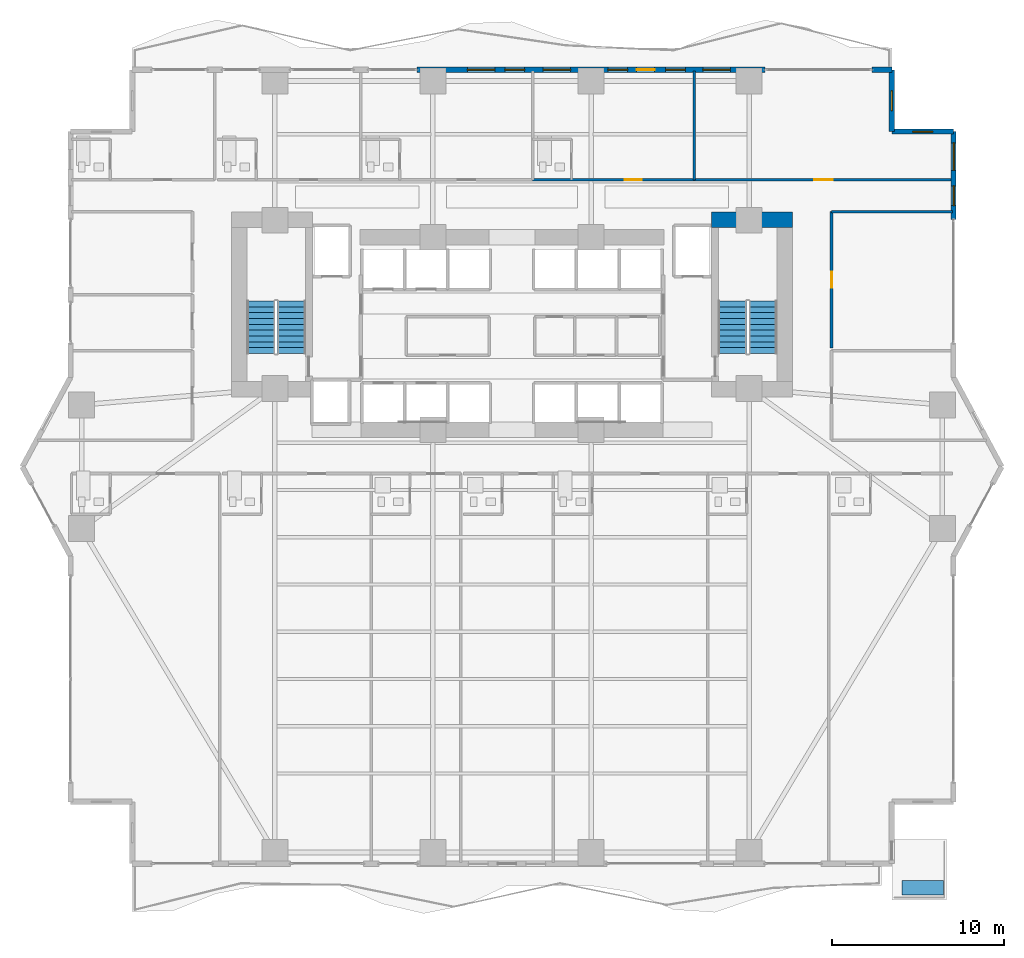
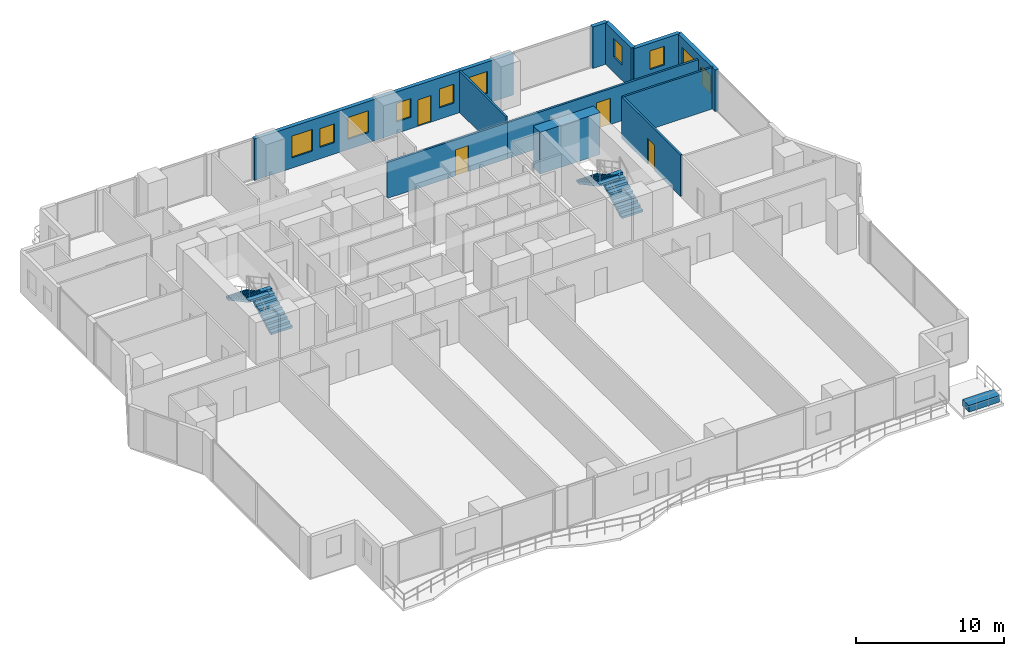
# One storey, part 22 of 29: 11 walls, 10 windows, 4 doors, 4 stair flights, 1 building element part, 14 openings, 2 elements without a shape of their own.
"""IFC4 building model written with IfcOpenShell, lengths in metres."""

from ifc_helpers import new_model, si_unit, direction, frame, frame_2d, origin, origin_2d, place, context, subcontext, project, spatial, polyline, rectangle, outline, extrude, material, layer, layer_set, type_object, element, fill, aggregate, save


model = new_model("IFC4")

# Units and contexts
model_context = context("Model", 3, precision=1e-05, world=origin(), true_north=direction((0.0, 1.0)))
body_context = subcontext(model_context, "Body", "Model", "MODEL_VIEW")
ifc_project = project(units=[si_unit("LENGTHUNIT", "METRE"), si_unit("AREAUNIT", "SQUARE_METRE"), si_unit("VOLUMEUNIT", "CUBIC_METRE"), si_unit("PLANEANGLEUNIT", "RADIAN"), si_unit("MASSUNIT", "GRAM", prefix="KILO")], contexts=[model_context])

# Site, building, storey
site_placement = place(None, origin())
site = spatial("IfcSite", under=ifc_project, at=site_placement, CompositionType="ELEMENT")
building_placement = place(site_placement, origin())
building = spatial("IfcBuilding", under=site, at=building_placement, Name="Zuhayl Quay Hotel", CompositionType="ELEMENT")
storey_placement = place(building_placement, frame((0.0, 0.0, 38.550048828125)))
storey = spatial("IfcBuildingStorey", under=building, at=storey_placement, Name="L08", CompositionType="ELEMENT", Elevation=38.550048828125)

# Wall
ifc_material_1 = material(Name="Concrete C70/85", Category="concrete")
ifc_layer_1 = layer(ifc_material_1, 0.89990234375, Name="Concrete C70/85", Category="concrete")
ifc_layer_set_1 = layer_set([ifc_layer_1], Name="Concrete C70/85")
wall_type_1 = type_object("IfcWallType", Name="WL_CORE_900", PredefinedType="SHEAR", material=ifc_layer_set_1)
wall_1_placement = place(storey_placement, frame((11.60009765625, 14.3798828125, 0.0), z_axis=(0.0, 0.0, 1.0), x_axis=(1.0, 0.0, 0.0)))
element("IfcWall", 1, at=wall_1_placement, inside=storey, type_object=wall_type_1, Name="L08 Core Shear Wall CW_NE", PredefinedType="SHEAR", context=body_context, shape_type="SweptSolid", body=[
    extrude(rectangle(XDim=4.7099609375, YDim=0.89990234375, at=frame_2d((2.35498046875, 0.0))), origin(), (0.0, 0.0, 1.0), 3.4599609375),
])

# Wall, openings, door, windows
ifc_material_2 = material(Name="Precast concrete C45/55", Category="concrete")
ifc_layer_2 = layer(ifc_material_2, 0.300048828125, Name="Precast concrete C45/55", Category="concrete")
ifc_layer_set_2 = layer_set([ifc_layer_2], Name="Precast concrete C45/55")
wall_type_2 = type_object("IfcWallType", Name="WL_EXT_300", PredefinedType="STANDARD", material=ifc_layer_set_2)
wall_2_placement = place(storey_placement, frame((-5.52001953125, 23.10009765625, 0.0), z_axis=(0.0, 0.0, 1.0), x_axis=(1.0, 0.0, 0.0)))
wall_2 = element("IfcWall", 2, at=wall_2_placement, inside=storey, type_object=wall_type_2, Name="L08 Exterior Precast Wall ENV_L08_N_EW5", PredefinedType="STANDARD", context=body_context, shape_type="SweptSolid", body=[
    extrude(rectangle(XDim=20.239990234375, YDim=0.300048828125, at=frame_2d((10.1201171875, 0.0))), origin(), (0.0, 0.0, 1.0), 3.429931640625),
])
opening_1_placement = place(wall_2_placement, frame((12.77490234375, 0.0, 0.0)))
opening_1 = element("IfcOpeningElement", 3, at=opening_1_placement, cuts=wall_2, Name="Opening DG1", PredefinedType="OPENING", context=body_context, shape_type="SweptSolid", body=[
    extrude(rectangle(XDim=1.050048828125, YDim=2.199951171875, at=frame_2d((0.52490234375, 1.10009765625))), frame((0.0, 0.159912109375, 0.0), z_axis=(0.0, -1.0, 0.0), x_axis=(1.0, 0.0, 0.0)), (0.0, 0.0, 1.0), 0.320068359375),
])
opening_2_placement = place(wall_2_placement, frame((2.919921875, 0.0, 0.85009765625)))
opening_2 = element("IfcOpeningElement", 4, at=opening_2_placement, cuts=wall_2, Name="Opening W01", PredefinedType="OPENING", context=body_context, shape_type="SweptSolid", body=[
    extrude(rectangle(XDim=1.60009765625, YDim=1.800048828125, at=frame_2d((0.800048828125, 0.89990234375))), frame((0.0, 0.159912109375, 0.0), z_axis=(0.0, -1.0, 0.0), x_axis=(1.0, 0.0, 0.0)), (0.0, 0.0, 1.0), 0.320068359375),
])
opening_3_placement = place(wall_2_placement, frame((5.110107421875, 0.0, 0.949951171875)))
opening_3 = element("IfcOpeningElement", 5, at=opening_3_placement, cuts=wall_2, Name="Opening W01N", PredefinedType="OPENING", context=body_context, shape_type="SweptSolid", body=[
    extrude(rectangle(XDim=1.14990234375, YDim=1.550048828125, at=frame_2d((0.574951171875, 0.77490234375))), frame((0.0, 0.159912109375, 0.0), z_axis=(0.0, -1.0, 0.0), x_axis=(1.0, 0.0, 0.0)), (0.0, 0.0, 1.0), 0.320068359375),
])
opening_4_placement = place(wall_2_placement, frame((7.330078125, 0.0, 0.85009765625)))
opening_4 = element("IfcOpeningElement", 6, at=opening_4_placement, cuts=wall_2, Name="Opening W01", PredefinedType="OPENING", context=body_context, shape_type="SweptSolid", body=[
    extrude(rectangle(XDim=1.60009765625, YDim=1.800048828125, at=frame_2d((0.800048828125, 0.89990234375))), frame((0.0, 0.159912109375, 0.0), z_axis=(0.0, -1.0, 0.0), x_axis=(1.0, 0.0, 0.0)), (0.0, 0.0, 1.0), 0.320068359375),
])
opening_5_placement = place(wall_2_placement, frame((11.097412109375, 0.0, 0.949951171875)))
opening_5 = element("IfcOpeningElement", 7, at=opening_5_placement, cuts=wall_2, Name="Opening W01N", PredefinedType="OPENING", context=body_context, shape_type="SweptSolid", body=[
    extrude(rectangle(XDim=1.14990234375, YDim=1.550048828125, at=frame_2d((0.574951171875, 0.77490234375))), frame((0.0, 0.159912109375, 0.0), z_axis=(0.0, -1.0, 0.0), x_axis=(1.0, 0.0, 0.0)), (0.0, 0.0, 1.0), 0.320068359375),
])
opening_6_placement = place(wall_2_placement, frame((14.46240234375, 0.0, 0.949951171875)))
opening_6 = element("IfcOpeningElement", 8, at=opening_6_placement, cuts=wall_2, Name="Opening W01N", PredefinedType="OPENING", context=body_context, shape_type="SweptSolid", body=[
    extrude(rectangle(XDim=1.14990234375, YDim=1.550048828125, at=frame_2d((0.574951171875, 0.77490234375))), frame((0.0, 0.159912109375, 0.0), z_axis=(0.0, -1.0, 0.0), x_axis=(1.0, 0.0, 0.0)), (0.0, 0.0, 1.0), 0.320068359375),
])
opening_7_placement = place(wall_2_placement, frame((16.6298828125, 0.0, 0.85009765625)))
opening_7 = element("IfcOpeningElement", 9, at=opening_7_placement, cuts=wall_2, Name="Opening W01", PredefinedType="OPENING", context=body_context, shape_type="SweptSolid", body=[
    extrude(rectangle(XDim=1.60009765625, YDim=1.800048828125, at=frame_2d((0.800048828125, 0.89990234375))), frame((0.0, 0.159912109375, 0.0), z_axis=(0.0, -1.0, 0.0), x_axis=(1.0, 0.0, 0.0)), (0.0, 0.0, 1.0), 0.320068359375),
])
ifc_material_3 = material(Name="Anodised Aluminium and Dark Solar Glass", Category="aluminium")
door_type_1 = type_object("IfcDoorType", Name="DR_EXT_TERR_1050", OperationType="NOTDEFINED", PredefinedType="DOOR", material=ifc_material_3)
door_1_placement = place(opening_1_placement, origin())
door_1 = element("IfcDoor", 10, at=door_1_placement, inside=storey, type_object=door_type_1, Name="L08 North Rippling Balcony Door", OperationType="SINGLE_SWING_LEFT", OverallHeight=2.199951171875, OverallWidth=1.050048828125, PredefinedType="DOOR", context=body_context, shape_type="SweptSolid", body=[
    extrude(rectangle(XDim=1.050048828125, YDim=2.199951171875, at=frame_2d((0.52490234375, 1.10009765625))), frame((0.0, 0.02490234375, 0.0), z_axis=(0.0, -1.0, 0.0), x_axis=(1.0, 0.0, 0.0)), (0.0, 0.0, 1.0), 0.050048828125),
])
fill(opening_1, door_1)
ifc_material_4 = material(Name="Dark Ceramic-Fritted Solar Glass", Category="glass")
window_type_1 = type_object("IfcWindowType", Name="WN_NOTCH_1350", PartitioningType="SINGLE_PANEL", PredefinedType="WINDOW", material=ifc_material_4)
window_1_placement = place(opening_3_placement, origin())
window_1 = element("IfcWindow", 11, at=window_1_placement, inside=storey, type_object=window_type_1, Name="L08 Operable Facade Window 5-1", OverallHeight=1.550048828125, OverallWidth=1.14990234375, PartitioningType="SINGLE_PANEL", PredefinedType="WINDOW", context=body_context, shape_type="SweptSolid", body=[
    extrude(rectangle(XDim=1.14990234375, YDim=1.550048828125, at=frame_2d((0.574951171875, 0.77490234375))), frame((0.0, 0.030029296875, 0.0), z_axis=(0.0, -1.0, 0.0), x_axis=(1.0, 0.0, 0.0)), (0.0, 0.0, 1.0), 0.06005859375),
])
fill(opening_3, window_1)
window_2_placement = place(opening_5_placement, origin())
window_2 = element("IfcWindow", 12, at=window_2_placement, inside=storey, type_object=window_type_1, Name="L08 Operable Facade Window 5-3", OverallHeight=1.550048828125, OverallWidth=1.14990234375, PartitioningType="SINGLE_PANEL", PredefinedType="WINDOW", context=body_context, shape_type="SweptSolid", body=[
    extrude(rectangle(XDim=1.14990234375, YDim=1.550048828125, at=frame_2d((0.574951171875, 0.77490234375))), frame((0.0, 0.030029296875, 0.0), z_axis=(0.0, -1.0, 0.0), x_axis=(1.0, 0.0, 0.0)), (0.0, 0.0, 1.0), 0.06005859375),
])
fill(opening_5, window_2)
window_3_placement = place(opening_6_placement, origin())
window_3 = element("IfcWindow", 13, at=window_3_placement, inside=storey, type_object=window_type_1, Name="L08 Operable Facade Window 5-4", OverallHeight=1.550048828125, OverallWidth=1.14990234375, PartitioningType="SINGLE_PANEL", PredefinedType="WINDOW", context=body_context, shape_type="SweptSolid", body=[
    extrude(rectangle(XDim=1.14990234375, YDim=1.550048828125, at=frame_2d((0.574951171875, 0.77490234375))), frame((0.0, 0.030029296875, 0.0), z_axis=(0.0, -1.0, 0.0), x_axis=(1.0, 0.0, 0.0)), (0.0, 0.0, 1.0), 0.06005859375),
])
fill(opening_6, window_3)
window_type_2 = type_object("IfcWindowType", Name="WN_OPERABLE_1600", PartitioningType="DOUBLE_PANEL_VERTICAL", PredefinedType="WINDOW", material=ifc_material_4)
window_4_placement = place(opening_2_placement, origin())
window_4 = element("IfcWindow", 14, at=window_4_placement, inside=storey, type_object=window_type_2, Name="L08 North Operable Casement Window", OverallHeight=1.800048828125, OverallWidth=1.60009765625, PartitioningType="SINGLE_PANEL", PredefinedType="WINDOW", context=body_context, shape_type="SweptSolid", body=[
    extrude(rectangle(XDim=1.60009765625, YDim=1.800048828125, at=frame_2d((0.800048828125, 0.89990234375))), frame((0.0, 0.030029296875, 0.0), z_axis=(0.0, -1.0, 0.0), x_axis=(1.0, 0.0, 0.0)), (0.0, 0.0, 1.0), 0.06005859375),
])
fill(opening_2, window_4)
window_5_placement = place(opening_4_placement, origin())
window_5 = element("IfcWindow", 15, at=window_5_placement, inside=storey, type_object=window_type_2, Name="L08 Operable Facade Window 5-2", OverallHeight=1.800048828125, OverallWidth=1.60009765625, PartitioningType="SINGLE_PANEL", PredefinedType="WINDOW", context=body_context, shape_type="SweptSolid", body=[
    extrude(rectangle(XDim=1.60009765625, YDim=1.800048828125, at=frame_2d((0.800048828125, 0.89990234375))), frame((0.0, 0.030029296875, 0.0), z_axis=(0.0, -1.0, 0.0), x_axis=(1.0, 0.0, 0.0)), (0.0, 0.0, 1.0), 0.06005859375),
])
fill(opening_4, window_5)
window_6_placement = place(opening_7_placement, origin())
window_6 = element("IfcWindow", 16, at=window_6_placement, inside=storey, type_object=window_type_2, Name="L08 Operable Facade Window 5-5", OverallHeight=1.800048828125, OverallWidth=1.60009765625, PartitioningType="SINGLE_PANEL", PredefinedType="WINDOW", context=body_context, shape_type="SweptSolid", body=[
    extrude(rectangle(XDim=1.60009765625, YDim=1.800048828125, at=frame_2d((0.800048828125, 0.89990234375))), frame((0.0, 0.030029296875, 0.0), z_axis=(0.0, -1.0, 0.0), x_axis=(1.0, 0.0, 0.0)), (0.0, 0.0, 1.0), 0.06005859375),
])
fill(opening_7, window_6)

# Wall
wall_3_placement = place(storey_placement, frame((20.949951171875, 23.10009765625, 0.0), z_axis=(0.0, 0.0, 1.0), x_axis=(1.0, 0.0, 0.0)))
element("IfcWall", 17, at=wall_3_placement, inside=storey, type_object=wall_type_2, Name="L08 Exterior Precast Wall ENV_L08_N_EW6", PredefinedType="STANDARD", context=body_context, shape_type="SweptSolid", body=[
    extrude(rectangle(XDim=1.150146484375, YDim=0.300048828125, at=frame_2d((0.5751953125, 0.0))), origin(), (0.0, 0.0, 1.0), 3.429931640625),
])

# Wall, opening, window
wall_4_placement = place(storey_placement, frame((22.10009765625, 23.10009765625, 0.0), z_axis=(0.0, 0.0, 1.0), x_axis=(0.0, -1.0, 0.0)))
wall_4 = element("IfcWall", 18, at=wall_4_placement, inside=storey, type_object=wall_type_2, Name="L08 Exterior Precast Wall ENV_L08_EW09", PredefinedType="STANDARD", context=body_context, shape_type="SweptSolid", body=[
    extrude(rectangle(XDim=3.60009765625, YDim=0.300048828125, at=frame_2d((1.800048828125, 0.0))), origin(), (0.0, 0.0, 1.0), 3.429931640625),
])
opening_8_placement = place(wall_4_placement, frame((1.22509765625, 0.0, 1.25)))
opening_8 = element("IfcOpeningElement", 19, at=opening_8_placement, cuts=wall_4, Name="Opening W01N", PredefinedType="OPENING", context=body_context, shape_type="SweptSolid", body=[
    extrude(rectangle(XDim=1.14990234375, YDim=1.550048828125, at=frame_2d((0.574951171875, 0.77490234375))), frame((0.0, 0.159912109375, 0.0), z_axis=(0.0, -1.0, 0.0), x_axis=(1.0, 0.0, 0.0)), (0.0, 0.0, 1.0), 0.320068359375),
])
window_7_placement = place(opening_8_placement, origin())
window_7 = element("IfcWindow", 20, at=window_7_placement, inside=storey, type_object=window_type_1, Name="L08 Corner Notch Window 9", OverallHeight=1.550048828125, OverallWidth=1.14990234375, PartitioningType="SINGLE_PANEL", PredefinedType="WINDOW", context=body_context, shape_type="SweptSolid", body=[
    extrude(rectangle(XDim=1.14990234375, YDim=1.550048828125, at=frame_2d((0.574951171875, 0.77490234375))), frame((0.0, 0.030029296875, 0.0), z_axis=(0.0, -1.0, 0.0), x_axis=(1.0, 0.0, 0.0)), (0.0, 0.0, 1.0), 0.06005859375),
])
fill(opening_8, window_7)

wall_5_placement = place(storey_placement, frame((22.10009765625, 19.5, 0.0), z_axis=(0.0, 0.0, 1.0), x_axis=(1.0, 0.0, 0.0)))
wall_5 = element("IfcWall", 21, at=wall_5_placement, inside=storey, type_object=wall_type_2, Name="L08 Exterior Precast Wall ENV_L08_EW10", PredefinedType="STANDARD", context=body_context, shape_type="SweptSolid", body=[
    extrude(rectangle(XDim=3.599853515625, YDim=0.300048828125, at=frame_2d((1.7998046875, 0.0))), origin(), (0.0, 0.0, 1.0), 3.429931640625),
])
opening_9_placement = place(wall_5_placement, frame((1.22509765625, 0.0, 1.25)))
opening_9 = element("IfcOpeningElement", 22, at=opening_9_placement, cuts=wall_5, Name="Opening W01N", PredefinedType="OPENING", context=body_context, shape_type="SweptSolid", body=[
    extrude(rectangle(XDim=1.14990234375, YDim=1.550048828125, at=frame_2d((0.574951171875, 0.77490234375))), frame((0.0, 0.159912109375, 0.0), z_axis=(0.0, -1.0, 0.0), x_axis=(1.0, 0.0, 0.0)), (0.0, 0.0, 1.0), 0.320068359375),
])
window_8_placement = place(opening_9_placement, origin())
window_8 = element("IfcWindow", 23, at=window_8_placement, inside=storey, type_object=window_type_1, Name="L08 Corner Notch Window 10", OverallHeight=1.550048828125, OverallWidth=1.14990234375, PartitioningType="SINGLE_PANEL", PredefinedType="WINDOW", context=body_context, shape_type="SweptSolid", body=[
    extrude(rectangle(XDim=1.14990234375, YDim=1.550048828125, at=frame_2d((0.574951171875, 0.77490234375))), frame((0.0, 0.030029296875, 0.0), z_axis=(0.0, -1.0, 0.0), x_axis=(1.0, 0.0, 0.0)), (0.0, 0.0, 1.0), 0.06005859375),
])
fill(opening_9, window_8)

# Wall, openings, windows
wall_6_placement = place(storey_placement, frame((25.699951171875, 19.5, 0.0), z_axis=(0.0, 0.0, 1.0), x_axis=(0.0, -1.0, 0.0)))
wall_6 = element("IfcWall", 24, at=wall_6_placement, inside=storey, type_object=wall_type_2, Name="L08 Exterior Precast Wall ENV_L08_E11_EW1", PredefinedType="STANDARD", context=body_context, shape_type="SweptSolid", body=[
    extrude(rectangle(XDim=5.10009765625, YDim=0.300048828125, at=frame_2d((2.550048828125, 0.0))), origin(), (0.0, 0.0, 1.0), 3.429931640625),
])
opening_10_placement = place(wall_6_placement, frame((0.659912109375, 0.0, 0.85009765625)))
opening_10 = element("IfcOpeningElement", 25, at=opening_10_placement, cuts=wall_6, Name="Opening W01", PredefinedType="OPENING", context=body_context, shape_type="SweptSolid", body=[
    extrude(rectangle(XDim=1.60009765625, YDim=1.800048828125, at=frame_2d((0.800048828125, 0.89990234375))), frame((0.0, 0.159912109375, 0.0), z_axis=(0.0, -1.0, 0.0), x_axis=(1.0, 0.0, 0.0)), (0.0, 0.0, 1.0), 0.320068359375),
])
opening_11_placement = place(wall_6_placement, frame((3.14990234375, 0.0, 0.949951171875)))
opening_11 = element("IfcOpeningElement", 26, at=opening_11_placement, cuts=wall_6, Name="Opening W01N", PredefinedType="OPENING", context=body_context, shape_type="SweptSolid", body=[
    extrude(rectangle(XDim=1.14990234375, YDim=1.550048828125, at=frame_2d((0.574951171875, 0.77490234375))), frame((0.0, 0.159912109375, 0.0), z_axis=(0.0, -1.0, 0.0), x_axis=(1.0, 0.0, 0.0)), (0.0, 0.0, 1.0), 0.320068359375),
])
window_9_placement = place(opening_11_placement, origin())
window_9 = element("IfcWindow", 27, at=window_9_placement, inside=storey, type_object=window_type_1, Name="L08 Operable Facade Window 1-2", OverallHeight=1.550048828125, OverallWidth=1.14990234375, PartitioningType="SINGLE_PANEL", PredefinedType="WINDOW", context=body_context, shape_type="SweptSolid", body=[
    extrude(rectangle(XDim=1.14990234375, YDim=1.550048828125, at=frame_2d((0.574951171875, 0.77490234375))), frame((0.0, 0.030029296875, 0.0), z_axis=(0.0, -1.0, 0.0), x_axis=(1.0, 0.0, 0.0)), (0.0, 0.0, 1.0), 0.06005859375),
])
fill(opening_11, window_9)
window_10_placement = place(opening_10_placement, origin())
window_10 = element("IfcWindow", 28, at=window_10_placement, inside=storey, type_object=window_type_2, Name="L08 Operable Facade Window 1-1", OverallHeight=1.800048828125, OverallWidth=1.60009765625, PartitioningType="SINGLE_PANEL", PredefinedType="WINDOW", context=body_context, shape_type="SweptSolid", body=[
    extrude(rectangle(XDim=1.60009765625, YDim=1.800048828125, at=frame_2d((0.800048828125, 0.89990234375))), frame((0.0, 0.030029296875, 0.0), z_axis=(0.0, -1.0, 0.0), x_axis=(1.0, 0.0, 0.0)), (0.0, 0.0, 1.0), 0.06005859375),
])
fill(opening_10, window_10)

# Walls
ifc_material_5 = material(Name="Acoustic Gypsum Partition STC-58")
ifc_layer_3 = layer(ifc_material_5, 0.14990234375, Name="Acoustic Gypsum Partition STC-58")
ifc_layer_set_3 = layer_set([ifc_layer_3], Name="Acoustic Gypsum Partition STC-58")
wall_type_3 = type_object("IfcWallType", Name="WL_PART_150", PredefinedType="PARTITIONING", material=ifc_layer_set_3)
wall_7_placement = place(storey_placement, frame((10.60009765625, 16.699951171875, 0.0), z_axis=(0.0, 0.0, 1.0), x_axis=(0.0, 1.0, 0.0)))
element("IfcWall", 29, at=wall_7_placement, inside=storey, type_object=wall_type_3, Name="L08 Partition IW_L08_NU03_E", PredefinedType="PARTITIONING", context=body_context, shape_type="SweptSolid", body=[
    extrude(rectangle(XDim=6.320068359375, YDim=0.14990234375, at=frame_2d((3.16015625, 0.0))), origin(), (0.0, 0.0, 1.0), 3.429931640625),
])
wall_8_placement = place(storey_placement, frame((18.60009765625, 14.85009765625, 0.0), z_axis=(0.0, 0.0, 1.0), x_axis=(1.0, 0.0, 0.0)))
element("IfcWall", 30, at=wall_8_placement, inside=storey, type_object=wall_type_3, Name="L08 Partition IW_L08_EFLK_2_N", PredefinedType="PARTITIONING", context=body_context, shape_type="SweptSolid", body=[
    extrude(rectangle(XDim=7.039794921875, YDim=0.14990234375, at=frame_2d((3.52001953125, 0.0))), origin(), (0.0, 0.0, 1.0), 3.429931640625),
])

# Wall, opening, door
ifc_layer_4 = layer(ifc_material_5, 0.159912109375, Name="Acoustic Gypsum Partition STC-58")
ifc_layer_set_4 = layer_set([ifc_layer_4], Name="Acoustic Gypsum Partition STC-58")
wall_type_4 = type_object("IfcWallType", Name="WL_PART_CORR_160", PredefinedType="PARTITIONING", material=ifc_layer_set_4)
wall_9_placement = place(storey_placement, frame((1.199951171875, 16.699951171875, 0.0), z_axis=(0.0, 0.0, 1.0), x_axis=(1.0, 0.0, 0.0)))
wall_9 = element("IfcWall", 31, at=wall_9_placement, inside=storey, type_object=wall_type_4, Name="L08 Partition IW_L08_NU03_COR", PredefinedType="PARTITIONING", context=body_context, shape_type="SweptSolid", body=[
    extrude(rectangle(XDim=9.400146484375, YDim=0.159912109375, at=frame_2d((4.7001953125, 0.0))), origin(), (0.0, 0.0, 1.0), 2.972900390625),
])
opening_12_placement = place(wall_9_placement, frame((5.35009765625, 0.0, 0.0)))
opening_12 = element("IfcOpeningElement", 32, at=opening_12_placement, cuts=wall_9, Name="Opening D03L", PredefinedType="OPENING", context=body_context, shape_type="SweptSolid", body=[
    extrude(rectangle(XDim=1.0, YDim=2.14990234375, at=frame_2d((0.5, 1.074951171875))), frame((0.0, 0.08984375, 0.0), z_axis=(0.0, -1.0, 0.0), x_axis=(1.0, 0.0, 0.0)), (0.0, 0.0, 1.0), 0.179931640625),
])
ifc_material_6 = material(Name="Solid Walnut Acoustic Fire Door")
door_type_2 = type_object("IfcDoorType", Name="DR_SUITE_1000", OperationType="NOTDEFINED", PredefinedType="DOOR", material=ifc_material_6)
door_2_placement = place(opening_12_placement, origin())
door_2 = element("IfcDoor", 33, at=door_2_placement, inside=storey, type_object=door_type_2, Name="L08 Deluxe Gulf Guest Room L08-03 Entrance Door", OperationType="SINGLE_SWING_LEFT", OverallHeight=2.14990234375, OverallWidth=1.0, PredefinedType="DOOR", context=body_context, shape_type="SweptSolid", body=[
    extrude(rectangle(XDim=1.0, YDim=2.14990234375, at=frame_2d((0.5, 1.074951171875))), frame((0.0, 0.02490234375, 0.0), z_axis=(0.0, -1.0, 0.0), x_axis=(1.0, 0.0, 0.0)), (0.0, 0.0, 1.0), 0.050048828125),
])
fill(opening_12, door_2)

wall_10_placement = place(storey_placement, frame((10.60009765625, 16.699951171875, 0.0), z_axis=(0.0, 0.0, 1.0), x_axis=(1.0, 0.0, 0.0)))
wall_10 = element("IfcWall", 34, at=wall_10_placement, inside=storey, type_object=wall_type_4, Name="L08 Partition IW_L08_NSAL_3_S", PredefinedType="PARTITIONING", context=body_context, shape_type="SweptSolid", body=[
    extrude(rectangle(XDim=15.039794921875, YDim=0.159912109375, at=frame_2d((7.52001953125, 0.0))), origin(), (0.0, 0.0, 1.0), 2.972900390625),
])
opening_13_placement = place(wall_10_placement, frame((6.97998046875, 0.0, 0.0)))
opening_13 = element("IfcOpeningElement", 35, at=opening_13_placement, cuts=wall_10, Name="Opening D05A", PredefinedType="OPENING", context=body_context, shape_type="SweptSolid", body=[
    extrude(rectangle(XDim=1.080078125, YDim=2.179931640625, at=frame_2d((0.5400390625, 1.08984375))), frame((0.0, 0.08984375, 0.0), z_axis=(0.0, -1.0, 0.0), x_axis=(1.0, 0.0, 0.0)), (0.0, 0.0, 1.0), 0.179931640625),
])
door_type_3 = type_object("IfcDoorType", Name="DR_INT_1100", OperationType="NOTDEFINED", PredefinedType="DOOR", material=ifc_material_6)
door_3_placement = place(opening_13_placement, origin())
door_3 = element("IfcDoor", 36, at=door_3_placement, inside=storey, type_object=door_type_3, Name="L08 Quay Boardroom Door", OperationType="SINGLE_SWING_RIGHT", OverallHeight=2.179931640625, OverallWidth=1.080078125, PredefinedType="DOOR", context=body_context, shape_type="SweptSolid", body=[
    extrude(rectangle(XDim=1.080078125, YDim=2.179931640625, at=frame_2d((0.5400390625, 1.08984375))), frame((0.0, 0.02490234375, 0.0), z_axis=(0.0, -1.0, 0.0), x_axis=(1.0, 0.0, 0.0)), (0.0, 0.0, 1.0), 0.050048828125),
])
fill(opening_13, door_3)

wall_11_placement = place(storey_placement, frame((18.60009765625, 6.909912109375, 0.0), z_axis=(0.0, 0.0, 1.0), x_axis=(0.0, 1.0, 0.0)))
wall_11 = element("IfcWall", 37, at=wall_11_placement, inside=storey, type_object=wall_type_4, Name="L08 Partition IW_L08_EFLK_2_W", PredefinedType="PARTITIONING", context=body_context, shape_type="SweptSolid", body=[
    extrude(rectangle(XDim=7.940185546875, YDim=0.159912109375, at=frame_2d((3.97021484375, 0.0))), origin(), (0.0, 0.0, 1.0), 3.429931640625),
])
opening_14_placement = place(wall_11_placement, frame((3.510009765625, 0.0, 0.0)))
opening_14 = element("IfcOpeningElement", 38, at=opening_14_placement, cuts=wall_11, Name="Opening D05", PredefinedType="OPENING", context=body_context, shape_type="SweptSolid", body=[
    extrude(rectangle(XDim=0.919921875, YDim=2.1201171875, at=frame_2d((0.4599609375, 1.06005859375))), frame((0.0, 0.08984375, 0.0), z_axis=(0.0, -1.0, 0.0), x_axis=(1.0, 0.0, 0.0)), (0.0, 0.0, 1.0), 0.179931640625),
])
door_type_4 = type_object("IfcDoorType", Name="DR_INT_950", OperationType="NOTDEFINED", PredefinedType="DOOR", material=ifc_material_6)
door_4_placement = place(opening_14_placement, origin())
door_4 = element("IfcDoor", 39, at=door_4_placement, inside=storey, type_object=door_type_4, Name="L08 East Prow Reading Lounge L08 Door", OperationType="SINGLE_SWING_RIGHT", OverallHeight=2.1201171875, OverallWidth=0.919921875, PredefinedType="DOOR", context=body_context, shape_type="SweptSolid", body=[
    extrude(rectangle(XDim=0.919921875, YDim=2.1201171875, at=frame_2d((0.4599609375, 1.06005859375))), frame((0.0, 0.02490234375, 0.0), z_axis=(0.0, -1.0, 0.0), x_axis=(1.0, 0.0, 0.0)), (0.0, 0.0, 1.0), 0.050048828125),
])
fill(opening_14, door_4)

# Stair, stair flights
ifc_material_7 = material(Name="Concrete C45/55", Category="concrete")
stair_type = type_object("IfcStairType", Name="ST_DOGLEG_TOWER", PredefinedType="HALF_TURN_STAIR", material=ifc_material_7)
stair_1_placement = place(storey_placement, origin())
stair_1 = element("IfcStair", 40, at=stair_1_placement, inside=storey, type_object=stair_type, Name="L08 Smokeproof Exit Stair ST1", PredefinedType="HALF_TURN_STAIR")
ifc_layer_5 = layer(ifc_material_7, 0.159912109375, Name="Concrete C45/55", Category="concrete")
ifc_layer_set_5 = layer_set([ifc_layer_5], Name="Concrete C45/55")
stair_flight_type = type_object("IfcStairFlightType", Name="SF_CONC_164", PredefinedType="STRAIGHT", material=ifc_layer_set_5)
stair_flight_1_placement = place(storey_placement, frame((-12.820068359375, 6.590087890625, 0.0), z_axis=(0.0, 0.0, 1.0), x_axis=(0.0, 1.0, 0.0)))
stair_flight_1 = element("IfcStairFlight", 41, at=stair_flight_1_placement, type_object=stair_flight_type, Name="ST1 flight 1", NumberOfRisers=10, NumberOfTreads=9, PredefinedType="STRAIGHT", RiserHeight=0.1825, TreadLength=0.34, context=body_context, shape_type="SweptSolid", body=[
    extrude(outline(polyline([(0.0, 0.0), (0.0, 0.1826171875), (0.340087890625, 0.1826171875), (0.340087890625, 0.364990234375), (0.679931640625, 0.364990234375), (0.679931640625, 0.547607421875), (1.02001953125, 0.547607421875), (1.02001953125, 0.72998046875), (1.360107421875, 0.72998046875), (1.360107421875, 0.91259765625), (1.699951171875, 0.91259765625), (1.699951171875, 1.094970703125), (2.0400390625, 1.094970703125), (2.0400390625, 1.277587890625), (2.3798828125, 1.277587890625), (2.3798828125, 1.4599609375), (2.719970703125, 1.4599609375), (2.719970703125, 1.642578125), (3.06005859375, 1.642578125), (3.06005859375, 1.824951171875), (3.06005859375, 1.472412109375), (0.31689453125, 0.0), (0.0, 0.0)])), frame((0.0, 0.81982421875, 0.0), z_axis=(0.0, -1.0, 0.0), x_axis=(1.0, 0.0, 0.0)), (0.0, 0.0, 1.0), 1.639892578125),
])
stair_flight_2_placement = place(storey_placement, frame((-14.610107421875, 9.64990234375, 1.824951171875), z_axis=(0.0, 0.0, 1.0), x_axis=(0.0, -1.0, 0.0)))
stair_flight_2 = element("IfcStairFlight", 42, at=stair_flight_2_placement, type_object=stair_flight_type, Name="ST1 flight 2", NumberOfRisers=10, NumberOfTreads=9, PredefinedType="STRAIGHT", RiserHeight=0.1825, TreadLength=0.34, context=body_context, shape_type="SweptSolid", body=[
    extrude(outline(polyline([(0.0, 0.0), (0.0, 0.1826171875), (0.340087890625, 0.1826171875), (0.340087890625, 0.364990234375), (0.679931640625, 0.364990234375), (0.679931640625, 0.547607421875), (1.02001953125, 0.547607421875), (1.02001953125, 0.72998046875), (1.360107421875, 0.72998046875), (1.360107421875, 0.91259765625), (1.699951171875, 0.91259765625), (1.699951171875, 1.094970703125), (2.0400390625, 1.094970703125), (2.0400390625, 1.277587890625), (2.3798828125, 1.277587890625), (2.3798828125, 1.4599609375), (2.719970703125, 1.4599609375), (2.719970703125, 1.642578125), (3.06005859375, 1.642578125), (3.06005859375, 1.824951171875), (3.06005859375, 1.472412109375), (0.31689453125, 0.0), (0.0, 0.0)])), frame((0.0, 0.81982421875, 0.0), z_axis=(0.0, -1.0, 0.0), x_axis=(1.0, 0.0, 0.0)), (0.0, 0.0, 1.0), 1.639892578125),
])
aggregate(stair_1, [stair_flight_1, stair_flight_2])

stair_2_placement = place(storey_placement, origin())
stair_2 = element("IfcStair", 43, at=stair_2_placement, inside=storey, type_object=stair_type, Name="L08 Smokeproof Exit Stair ST2", PredefinedType="HALF_TURN_STAIR")
stair_flight_3_placement = place(storey_placement, frame((14.610107421875, 6.590087890625, 0.0), z_axis=(0.0, 0.0, 1.0), x_axis=(0.0, 1.0, 0.0)))
stair_flight_3 = element("IfcStairFlight", 44, at=stair_flight_3_placement, type_object=stair_flight_type, Name="ST2 flight 1", NumberOfRisers=10, NumberOfTreads=9, PredefinedType="STRAIGHT", RiserHeight=0.1825, TreadLength=0.34, context=body_context, shape_type="SweptSolid", body=[
    extrude(outline(polyline([(0.0, 0.0), (0.0, 0.1826171875), (0.340087890625, 0.1826171875), (0.340087890625, 0.364990234375), (0.679931640625, 0.364990234375), (0.679931640625, 0.547607421875), (1.02001953125, 0.547607421875), (1.02001953125, 0.72998046875), (1.360107421875, 0.72998046875), (1.360107421875, 0.91259765625), (1.699951171875, 0.91259765625), (1.699951171875, 1.094970703125), (2.0400390625, 1.094970703125), (2.0400390625, 1.277587890625), (2.3798828125, 1.277587890625), (2.3798828125, 1.4599609375), (2.719970703125, 1.4599609375), (2.719970703125, 1.642578125), (3.06005859375, 1.642578125), (3.06005859375, 1.824951171875), (3.06005859375, 1.472412109375), (0.31689453125, 0.0), (0.0, 0.0)])), frame((0.0, 0.81982421875, 0.0), z_axis=(0.0, -1.0, 0.0), x_axis=(1.0, 0.0, 0.0)), (0.0, 0.0, 1.0), 1.639892578125),
])
stair_flight_4_placement = place(storey_placement, frame((12.820068359375, 9.64990234375, 1.824951171875), z_axis=(0.0, 0.0, 1.0), x_axis=(0.0, -1.0, 0.0)))
stair_flight_4 = element("IfcStairFlight", 45, at=stair_flight_4_placement, type_object=stair_flight_type, Name="ST2 flight 2", NumberOfRisers=10, NumberOfTreads=9, PredefinedType="STRAIGHT", RiserHeight=0.1825, TreadLength=0.34, context=body_context, shape_type="SweptSolid", body=[
    extrude(outline(polyline([(0.0, 0.0), (0.0, 0.1826171875), (0.340087890625, 0.1826171875), (0.340087890625, 0.364990234375), (0.679931640625, 0.364990234375), (0.679931640625, 0.547607421875), (1.02001953125, 0.547607421875), (1.02001953125, 0.72998046875), (1.360107421875, 0.72998046875), (1.360107421875, 0.91259765625), (1.699951171875, 0.91259765625), (1.699951171875, 1.094970703125), (2.0400390625, 1.094970703125), (2.0400390625, 1.277587890625), (2.3798828125, 1.277587890625), (2.3798828125, 1.4599609375), (2.719970703125, 1.4599609375), (2.719970703125, 1.642578125), (3.06005859375, 1.642578125), (3.06005859375, 1.824951171875), (3.06005859375, 1.472412109375), (0.31689453125, 0.0), (0.0, 0.0)])), frame((0.0, 0.81982421875, 0.0), z_axis=(0.0, -1.0, 0.0), x_axis=(1.0, 0.0, 0.0)), (0.0, 0.0, 1.0), 1.639892578125),
])
aggregate(stair_2, [stair_flight_3, stair_flight_4])

# Building element part
ifc_layer_6 = layer(ifc_material_2, 0.550048828125, Name="Precast concrete C45/55", Category="concrete")
ifc_layer_set_6 = layer_set([ifc_layer_6], Name="Precast concrete C45/55")
building_element_part_type = type_object("IfcBuildingElementPartType", Name="PT_PLANTER_KERB", PredefinedType="PRECASTPANEL", material=ifc_layer_set_6)
building_element_part_placement = place(storey_placement, frame((23.909912109375, -24.510009765625, 0.0), z_axis=(0.0, 0.0, 1.0), x_axis=(1.0, 0.0, 0.0)))
element("IfcBuildingElementPart", 46, at=building_element_part_placement, inside=storey, type_object=building_element_part_type, Name="L08 Spiral Sky-Terrace Planter Box SE", PredefinedType="PRECASTPANEL", context=body_context, shape_type="SweptSolid", body=[
    extrude(rectangle(XDim=2.39990234375, YDim=0.85009765625, at=origin_2d()), origin(), (0.0, 0.0, 1.0), 0.550048828125),
])

save(model, "model.ifc")
